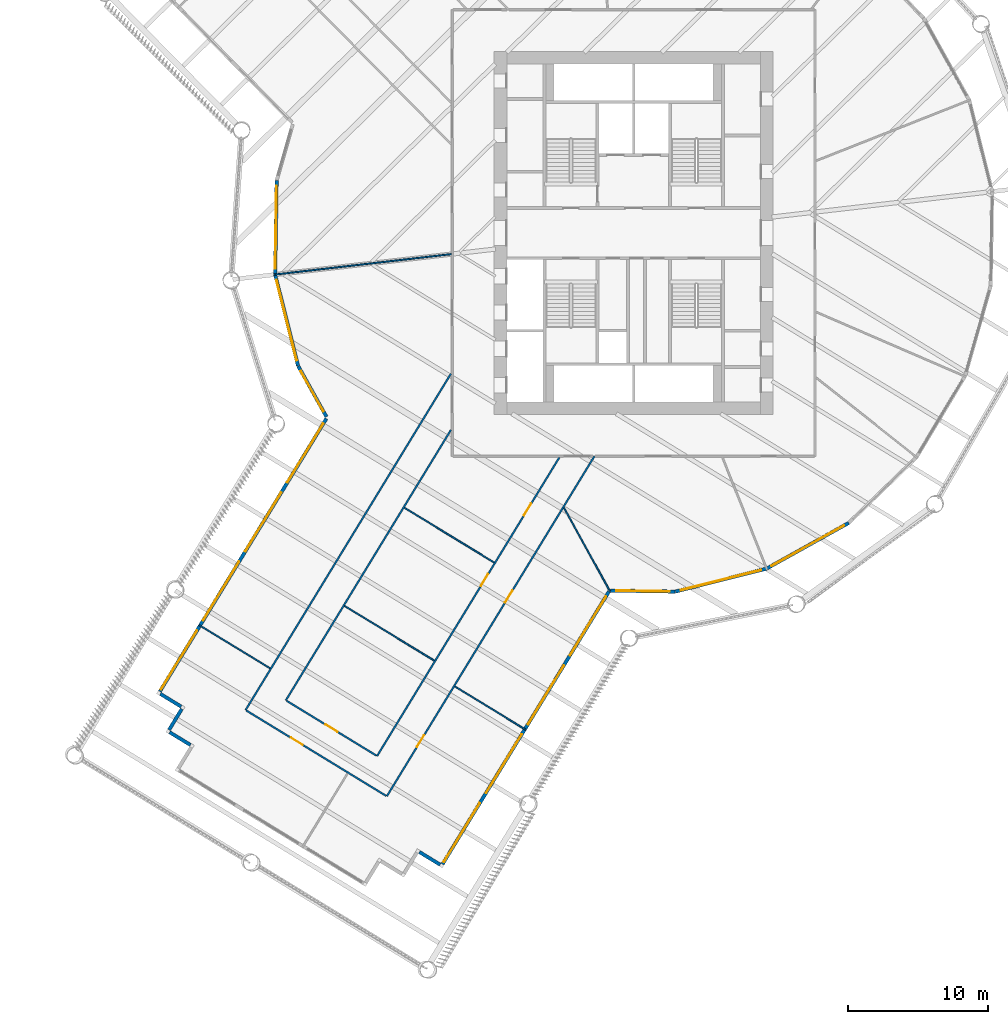
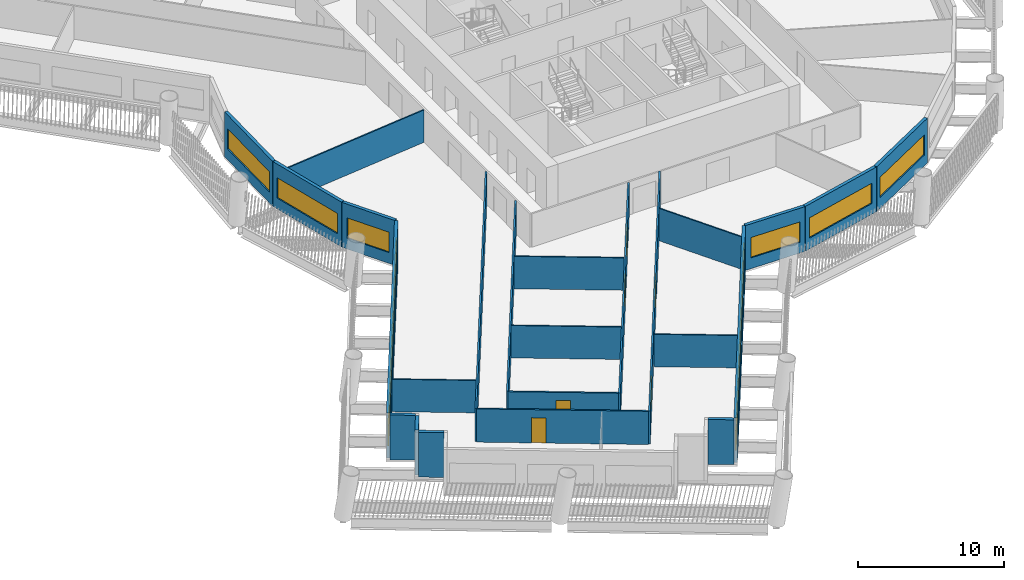
# One storey, part 3 of 15: 24 walls, 14 windows, 6 doors, 20 openings.
"""IFC4 building model written with IfcOpenShell, lengths in metres."""

from ifc_helpers import new_model, si_unit, direction, frame, frame_2d, origin, place, context, subcontext, project, spatial, rectangle, extrude, material, layer, layer_set, type_object, element, fill, save


model = new_model("IFC4")

# Units and contexts
model_context = context("Model", 3, precision=1e-05, world=origin(), true_north=direction((0.0, 1.0)))
body_context = subcontext(model_context, "Body", "Model", "MODEL_VIEW")
ifc_project = project(units=[si_unit("LENGTHUNIT", "METRE"), si_unit("AREAUNIT", "SQUARE_METRE"), si_unit("VOLUMEUNIT", "CUBIC_METRE"), si_unit("PLANEANGLEUNIT", "RADIAN"), si_unit("MASSUNIT", "GRAM", prefix="KILO")], contexts=[model_context])

# Site, building, storey
site_placement = place(None, origin())
site = spatial("IfcSite", under=ifc_project, at=site_placement, CompositionType="ELEMENT")
building_placement = place(site_placement, origin())
building = spatial("IfcBuilding", under=site, at=building_placement, Name="Tarsis Ring Headquarters", CompositionType="ELEMENT")
storey_placement = place(building_placement, frame((0.0, 0.0, 75.10009765625)))
storey = spatial("IfcBuildingStorey", under=building, at=storey_placement, Name="L16", CompositionType="ELEMENT", Elevation=75.10009765625)

# Walls
ifc_material_1 = material(Name="Gypsum board on steel studs", Category="steel")
ifc_layer_1 = layer(ifc_material_1, 0.10009765625)
ifc_layer_set_1 = layer_set([ifc_layer_1], Name="FL partition 100 unrated")
wall_type_1 = type_object("IfcWallType", Name="FL partition 100 unrated", PredefinedType="PARTITIONING", material=ifc_layer_set_1)
wall_1_placement = place(storey_placement, frame((-25.77587890625, -2.982421875, 0.0), z_axis=(0.0, 0.0, 1.0), x_axis=(0.993372355802, 0.114940692221, 0.0)))
element("IfcWall", 1, at=wall_1_placement, inside=storey, type_object=wall_type_1, Name="Partition PW3", PredefinedType="PARTITIONING", context=body_context, shape_type="SweptSolid", body=[
    extrude(rectangle(XDim=12.791015625, YDim=0.10009765625, at=frame_2d((6.3955078125, 0.0))), origin(), (0.0, 0.0, 1.0), 2.699951171875),
])
for number, where, z_axis, x_axis, name in (
    (2, (-16.427490234375, -19.695556640625, 0.0), (0.0, 0.0, 1.0), (0.853552167987, -0.521007386248, 0.0), "Partition PW3"),
    (3, (-20.720458984375, -26.728759765625, 0.0), (0.0, 0.0, 1.0), (0.853552167987, -0.521007386248, 0.0), "Partition PW3"),
):
    element("IfcWall", number, at=place(storey_placement, frame(where, z_axis=z_axis, x_axis=x_axis)), inside=storey, type_object=wall_type_1, Name=name, PredefinedType="PARTITIONING", context=body_context, shape_type="SweptSolid", body=[
        extrude(rectangle(XDim=7.52001953125, YDim=0.10009765625, at=frame_2d((3.760009765625, 0.0))), origin(), (0.0, 0.0, 1.0), 2.699951171875),
    ])
wall_2_placement = place(storey_placement, frame((-4.989501953125, -19.70849609375, 0.0), z_axis=(0.0, 0.0, 1.0), x_axis=(0.482518364437, -0.875885853283, 0.0)))
element("IfcWall", 4, at=wall_2_placement, inside=storey, type_object=wall_type_1, Name="Partition PW3", PredefinedType="PARTITIONING", context=body_context, shape_type="SweptSolid", body=[
    extrude(rectangle(XDim=6.8134765625, YDim=0.10009765625, at=frame_2d((3.40673828125, 0.0))), origin(), (0.0, 0.0, 1.0), 2.699951171875),
])
for number, where, z_axis, x_axis, name in (
    (5, (-31.149658203125, -28.09521484375, 0.0), (0.0, 0.0, 1.0), (0.853543407635, -0.521021737821, 0.0), "Partition PW3"),
    (6, (-12.811767578125, -32.50537109375, 0.0), (0.0, 0.0, 1.0), (0.853561654943, -0.520991843708, 0.0), "Partition PW3"),
):
    element("IfcWall", number, at=place(storey_placement, frame(where, z_axis=z_axis, x_axis=x_axis)), inside=storey, type_object=wall_type_1, Name=name, PredefinedType="PARTITIONING", context=body_context, shape_type="SweptSolid", body=[
        extrude(rectangle(XDim=5.949951171875, YDim=0.10009765625, at=frame_2d((2.97509765625, 0.0))), origin(), (0.0, 0.0, 1.0), 2.699951171875),
    ])

# Wall, openings, doors
ifc_layer_2 = layer(ifc_material_1, 0.125)
ifc_layer_set_2 = layer_set([ifc_layer_2], Name="FL partition 125 EI 60 H2770")
wall_type_2 = type_object("IfcWallType", Name="FL partition 125 EI 60 H2770", PredefinedType="PARTITIONING", material=ifc_layer_set_2)
wall_3_placement = place(storey_placement, frame((-17.696044921875, -40.372802734375, 0.0), z_axis=(0.0, 0.0, 1.0), x_axis=(0.521002763272, 0.853554989829, 0.0)))
wall_3 = element("IfcWall", 7, at=wall_3_placement, inside=storey, type_object=wall_type_2, Name="Partition PW1", PredefinedType="PARTITIONING", context=body_context, shape_type="SweptSolid", body=[
    extrude(rectangle(XDim=28.554443359375, YDim=0.125, at=frame_2d((14.27734375, 0.0))), origin(), (0.0, 0.0, 1.0), 2.77001953125),
])
opening_1_placement = place(wall_3_placement, frame((16.278076171875, 0.0, 0.0)))
opening_1 = element("IfcOpeningElement", 8, at=opening_1_placement, cuts=wall_3, Name="Opening D16.11", PredefinedType="OPENING", context=body_context, shape_type="SweptSolid", body=[
    extrude(rectangle(XDim=1.0, YDim=2.10009765625, at=frame_2d((0.5, 1.050048828125))), frame((0.0, 0.072509765625, 0.0), z_axis=(0.0, -1.0, 0.0), x_axis=(1.0, 0.0, 0.0)), (0.0, 0.0, 1.0), 0.14501953125),
])
opening_2_placement = place(wall_3_placement, frame((4.127685546875, 0.0, 0.0)))
opening_2 = element("IfcOpeningElement", 9, at=opening_2_placement, cuts=wall_3, Name="Opening D16.12", PredefinedType="OPENING", context=body_context, shape_type="SweptSolid", body=[
    extrude(rectangle(XDim=1.0, YDim=2.10009765625, at=frame_2d((0.5, 1.050048828125))), frame((0.0, 0.072509765625, 0.0), z_axis=(0.0, -1.0, 0.0), x_axis=(1.0, 0.0, 0.0)), (0.0, 0.0, 1.0), 0.14501953125),
])
ifc_material_2 = material(Name="Fire-rated timber door leaf in steel frame", Category="steel")
door_type = type_object("IfcDoorType", Name="FL door FD60-1000", OperationType="NOTDEFINED", PredefinedType="DOOR", material=ifc_material_2)
door_1_placement = place(opening_1_placement, origin())
door_1 = element("IfcDoor", 10, at=door_1_placement, inside=storey, type_object=door_type, Name="Door D16.11", OperationType="SINGLE_SWING_LEFT", OverallHeight=2.10009765625, OverallWidth=1.0, PredefinedType="DOOR", context=body_context, shape_type="SweptSolid", body=[
    extrude(rectangle(XDim=1.0, YDim=2.10009765625, at=frame_2d((0.5, 1.050048828125))), frame((0.0, 0.02490234375, 0.0), z_axis=(0.0, -1.0, 0.0), x_axis=(1.0, 0.0, 0.0)), (0.0, 0.0, 1.0), 0.050048828125),
])
fill(opening_1, door_1)
door_2_placement = place(opening_2_placement, origin())
door_2 = element("IfcDoor", 11, at=door_2_placement, inside=storey, type_object=door_type, Name="Door D16.12", OperationType="SINGLE_SWING_RIGHT", OverallHeight=2.10009765625, OverallWidth=1.0, PredefinedType="DOOR", context=body_context, shape_type="SweptSolid", body=[
    extrude(rectangle(XDim=1.0, YDim=2.10009765625, at=frame_2d((0.5, 1.050048828125))), frame((0.0, 0.02490234375, 0.0), z_axis=(0.0, -1.0, 0.0), x_axis=(1.0, 0.0, 0.0)), (0.0, 0.0, 1.0), 0.050048828125),
])
fill(opening_2, door_2)

# Wall
wall_4_placement = place(storey_placement, frame((-27.8193359375, -34.193603515625, 0.0), z_axis=(0.0, 0.0, 1.0), x_axis=(0.521009728697, 0.853550738154, 0.0)))
element("IfcWall", 12, at=wall_4_placement, inside=storey, type_object=wall_type_2, Name="Partition PW1", PredefinedType="PARTITIONING", context=body_context, shape_type="SweptSolid", body=[
    extrude(rectangle(XDim=28.243408203125, YDim=0.125, at=frame_2d((14.12158203125, 0.0))), origin(), (0.0, 0.0, 1.0), 2.77001953125),
])

# Wall, openings, doors
wall_5_placement = place(storey_placement, frame((-18.39453125, -37.486083984375, 0.0), z_axis=(0.0, 0.0, 1.0), x_axis=(0.521016290951, 0.853546732501, 0.0)))
wall_5 = element("IfcWall", 13, at=wall_5_placement, inside=storey, type_object=wall_type_2, Name="Partition PW1", PredefinedType="PARTITIONING", context=body_context, shape_type="SweptSolid", body=[
    extrude(rectangle(XDim=25.072509765625, YDim=0.125, at=frame_2d((12.5361328125, 0.0))), origin(), (0.0, 0.0, 1.0), 2.77001953125),
])
opening_3_placement = place(wall_5_placement, frame((20.193115234375, 0.0, 0.0)))
opening_3 = element("IfcOpeningElement", 14, at=opening_3_placement, cuts=wall_5, Name="Opening D16.18", PredefinedType="OPENING", context=body_context, shape_type="SweptSolid", body=[
    extrude(rectangle(XDim=1.0, YDim=2.10009765625, at=frame_2d((0.5, 1.050048828125))), frame((0.0, 0.072509765625, 0.0), z_axis=(0.0, -1.0, 0.0), x_axis=(1.0, 0.0, 0.0)), (0.0, 0.0, 1.0), 0.14501953125),
])
opening_4_placement = place(wall_5_placement, frame((14.270263671875, 0.0, 0.0)))
opening_4 = element("IfcOpeningElement", 15, at=opening_4_placement, cuts=wall_5, Name="Opening D16.19", PredefinedType="OPENING", context=body_context, shape_type="SweptSolid", body=[
    extrude(rectangle(XDim=1.0, YDim=2.10009765625, at=frame_2d((0.5, 1.050048828125))), frame((0.0, 0.072509765625, 0.0), z_axis=(0.0, -1.0, 0.0), x_axis=(1.0, 0.0, 0.0)), (0.0, 0.0, 1.0), 0.14501953125),
])
door_3_placement = place(opening_3_placement, origin())
door_3 = element("IfcDoor", 16, at=door_3_placement, inside=storey, type_object=door_type, Name="Door D16.18", OperationType="SINGLE_SWING_RIGHT", OverallHeight=2.10009765625, OverallWidth=1.0, PredefinedType="DOOR", context=body_context, shape_type="SweptSolid", body=[
    extrude(rectangle(XDim=1.0, YDim=2.10009765625, at=frame_2d((0.5, 1.050048828125))), frame((0.0, 0.02490234375, 0.0), z_axis=(0.0, -1.0, 0.0), x_axis=(1.0, 0.0, 0.0)), (0.0, 0.0, 1.0), 0.050048828125),
])
fill(opening_3, door_3)
door_4_placement = place(opening_4_placement, origin())
door_4 = element("IfcDoor", 17, at=door_4_placement, inside=storey, type_object=door_type, Name="Door D16.19", OperationType="SINGLE_SWING_LEFT", OverallHeight=2.10009765625, OverallWidth=1.0, PredefinedType="DOOR", context=body_context, shape_type="SweptSolid", body=[
    extrude(rectangle(XDim=1.0, YDim=2.10009765625, at=frame_2d((0.5, 1.050048828125))), frame((0.0, 0.02490234375, 0.0), z_axis=(0.0, -1.0, 0.0), x_axis=(1.0, 0.0, 0.0)), (0.0, 0.0, 1.0), 0.050048828125),
])
fill(opening_4, door_4)

# Wall
wall_6_placement = place(storey_placement, frame((-24.9326171875, -33.4951171875, 0.0), z_axis=(0.0, 0.0, 1.0), x_axis=(0.521005823257, 0.853553122033, 0.0)))
element("IfcWall", 18, at=wall_6_placement, inside=storey, type_object=wall_type_2, Name="Partition PW1", PredefinedType="PARTITIONING", context=body_context, shape_type="SweptSolid", body=[
    extrude(rectangle(XDim=22.702880859375, YDim=0.125, at=frame_2d((11.3515625, 0.0))), origin(), (0.0, 0.0, 1.0), 2.77001953125),
])

# Wall, opening, door
wall_7_placement = place(storey_placement, frame((-27.76806640625, -34.224853515625, 0.0), z_axis=(0.0, 0.0, 1.0), x_axis=(0.853559813998, -0.52099485979, 0.0)))
wall_7 = element("IfcWall", 19, at=wall_7_placement, inside=storey, type_object=wall_type_2, Name="Partition PW1", PredefinedType="PARTITIONING", context=body_context, shape_type="SweptSolid", body=[
    extrude(rectangle(XDim=11.739990234375, YDim=0.125, at=frame_2d((5.8701171875, 0.0))), origin(), (0.0, 0.0, 1.0), 2.77001953125),
])
opening_5_placement = place(wall_7_placement, frame((3.73828125, 0.0, 0.0)))
opening_5 = element("IfcOpeningElement", 20, at=opening_5_placement, cuts=wall_7, Name="Opening D16.13", PredefinedType="OPENING", context=body_context, shape_type="SweptSolid", body=[
    extrude(rectangle(XDim=1.0, YDim=2.10009765625, at=frame_2d((0.5, 1.050048828125))), frame((0.0, 0.072509765625, 0.0), z_axis=(0.0, -1.0, 0.0), x_axis=(1.0, 0.0, 0.0)), (0.0, 0.0, 1.0), 0.14501953125),
])
door_5_placement = place(opening_5_placement, origin())
door_5 = element("IfcDoor", 21, at=door_5_placement, inside=storey, type_object=door_type, Name="Door D16.13", OperationType="SINGLE_SWING_LEFT", OverallHeight=2.10009765625, OverallWidth=1.0, PredefinedType="DOOR", context=body_context, shape_type="SweptSolid", body=[
    extrude(rectangle(XDim=1.0, YDim=2.10009765625, at=frame_2d((0.5, 1.050048828125))), frame((0.0, 0.02490234375, 0.0), z_axis=(0.0, -1.0, 0.0), x_axis=(1.0, 0.0, 0.0)), (0.0, 0.0, 1.0), 0.050048828125),
])
fill(opening_5, door_5)

wall_8_placement = place(storey_placement, frame((-24.881591796875, -33.5263671875, 0.0), z_axis=(0.0, 0.0, 1.0), x_axis=(0.853548250352, -0.521013804348, 0.0)))
wall_8 = element("IfcWall", 22, at=wall_8_placement, inside=storey, type_object=wall_type_2, Name="Partition PW1", PredefinedType="PARTITIONING", context=body_context, shape_type="SweptSolid", body=[
    extrude(rectangle(XDim=7.5400390625, YDim=0.125, at=frame_2d((3.77001953125, 0.0))), origin(), (0.0, 0.0, 1.0), 2.77001953125),
])
opening_6_placement = place(wall_8_placement, frame((3.27001953125, 0.0, 0.0)))
opening_6 = element("IfcOpeningElement", 23, at=opening_6_placement, cuts=wall_8, Name="Opening D16.20", PredefinedType="OPENING", context=body_context, shape_type="SweptSolid", body=[
    extrude(rectangle(XDim=1.0, YDim=2.10009765625, at=frame_2d((0.5, 1.050048828125))), frame((0.0, 0.072509765625, 0.0), z_axis=(0.0, -1.0, 0.0), x_axis=(1.0, 0.0, 0.0)), (0.0, 0.0, 1.0), 0.14501953125),
])
door_6_placement = place(opening_6_placement, origin())
door_6 = element("IfcDoor", 24, at=door_6_placement, inside=storey, type_object=door_type, Name="Door D16.20", OperationType="SINGLE_SWING_RIGHT", OverallHeight=2.10009765625, OverallWidth=1.0, PredefinedType="DOOR", context=body_context, shape_type="SweptSolid", body=[
    extrude(rectangle(XDim=1.0, YDim=2.10009765625, at=frame_2d((0.5, 1.050048828125))), frame((0.0, 0.02490234375, 0.0), z_axis=(0.0, -1.0, 0.0), x_axis=(1.0, 0.0, 0.0)), (0.0, 0.0, 1.0), 0.050048828125),
])
fill(opening_6, door_6)

# Wall, opening, window
ifc_material_3 = material(Name="Terracotta clad insulated panel wall", Category="masonry")
ifc_layer_3 = layer(ifc_material_3, 0.25)
ifc_layer_set_3 = layer_set([ifc_layer_3], Name="Facade wall terracotta panel 250")
wall_type_3 = type_object("IfcWallType", Name="Facade wall terracotta panel 250", PredefinedType="STANDARD", material=ifc_layer_set_3)
wall_9_placement = place(storey_placement, frame((-25.5966796875, 3.76318359375, 0.0), z_axis=(0.0, 0.0, 1.0), x_axis=(-0.015691180423, -0.99987688585, 0.0)))
wall_9 = element("IfcWall", 25, at=wall_9_placement, inside=storey, type_object=wall_type_3, Name="External wall L16-03", PredefinedType="STANDARD", context=body_context, shape_type="SweptSolid", body=[
    extrude(rectangle(XDim=6.721435546875, YDim=0.25, at=frame_2d((3.36083984375, 0.0))), origin(), (0.0, 0.0, 1.0), 3.739990234375),
])
opening_7_placement = place(wall_9_placement, frame((0.3857421875, 0.0, 0.89990234375)))
opening_7 = element("IfcOpeningElement", 26, at=opening_7_placement, cuts=wall_9, Name="Opening WN07", PredefinedType="OPENING", context=body_context, shape_type="SweptSolid", body=[
    extrude(rectangle(XDim=5.949951171875, YDim=1.699951171875, at=frame_2d((2.97509765625, 0.85009765625))), frame((0.0, 0.135009765625, 0.0), z_axis=(0.0, -1.0, 0.0), x_axis=(1.0, 0.0, 0.0)), (0.0, 0.0, 1.0), 0.27001953125),
])
ifc_material_4 = material(Name="Aluminium framed double glazing", Category="aluminium")
window_type_1 = type_object("IfcWindowType", Name="Facade window 5950 x 1700", PartitioningType="SINGLE_PANEL", PredefinedType="WINDOW", material=ifc_material_4)
window_1_placement = place(opening_7_placement, origin())
window_1 = element("IfcWindow", 27, at=window_1_placement, inside=storey, type_object=window_type_1, Name="Window L16-03.1", OverallHeight=1.699951171875, OverallWidth=5.949951171875, PartitioningType="SINGLE_PANEL", PredefinedType="WINDOW", context=body_context, shape_type="SweptSolid", body=[
    extrude(rectangle(XDim=5.949951171875, YDim=1.699951171875, at=frame_2d((2.97509765625, 0.85009765625))), frame((0.0, 0.030029296875, 0.0), z_axis=(0.0, -1.0, 0.0), x_axis=(1.0, 0.0, 0.0)), (0.0, 0.0, 1.0), 0.06005859375),
])
fill(opening_7, window_1)

wall_10_placement = place(storey_placement, frame((-25.698486328125, -2.98974609375, 0.0), z_axis=(0.0, 0.0, 1.0), x_axis=(0.243612319037, -0.969872691653, 0.0)))
wall_10 = element("IfcWall", 28, at=wall_10_placement, inside=storey, type_object=wall_type_3, Name="External wall L16-04", PredefinedType="STANDARD", context=body_context, shape_type="SweptSolid", body=[
    extrude(rectangle(XDim=6.721435546875, YDim=0.25, at=frame_2d((3.36083984375, 0.0))), origin(), (0.0, 0.0, 1.0), 3.739990234375),
])
opening_8_placement = place(wall_10_placement, frame((0.3857421875, 0.0, 0.89990234375)))
opening_8 = element("IfcOpeningElement", 29, at=opening_8_placement, cuts=wall_10, Name="Opening WN07", PredefinedType="OPENING", context=body_context, shape_type="SweptSolid", body=[
    extrude(rectangle(XDim=5.949951171875, YDim=1.699951171875, at=frame_2d((2.97509765625, 0.85009765625))), frame((0.0, 0.135009765625, 0.0), z_axis=(0.0, -1.0, 0.0), x_axis=(1.0, 0.0, 0.0)), (0.0, 0.0, 1.0), 0.27001953125),
])
window_2_placement = place(opening_8_placement, origin())
window_2 = element("IfcWindow", 30, at=window_2_placement, inside=storey, type_object=window_type_1, Name="Window L16-04.1", OverallHeight=1.699951171875, OverallWidth=5.949951171875, PartitioningType="SINGLE_PANEL", PredefinedType="WINDOW", context=body_context, shape_type="SweptSolid", body=[
    extrude(rectangle(XDim=5.949951171875, YDim=1.699951171875, at=frame_2d((2.97509765625, 0.85009765625))), frame((0.0, 0.030029296875, 0.0), z_axis=(0.0, -1.0, 0.0), x_axis=(1.0, 0.0, 0.0)), (0.0, 0.0, 1.0), 0.06005859375),
])
fill(opening_8, window_2)

wall_11_placement = place(storey_placement, frame((-24.049072265625, -9.539306640625, 0.0), z_axis=(0.0, 0.0, 1.0), x_axis=(0.486355772919, -0.873760872406, 0.0)))
wall_11 = element("IfcWall", 31, at=wall_11_placement, inside=storey, type_object=wall_type_3, Name="External wall L16-05", PredefinedType="STANDARD", context=body_context, shape_type="SweptSolid", body=[
    extrude(rectangle(XDim=4.157470703125, YDim=0.25, at=frame_2d((2.07861328125, 0.0))), origin(), (0.0, 0.0, 1.0), 3.739990234375),
])
opening_9_placement = place(wall_11_placement, frame((0.38720703125, 0.0, 0.89990234375)))
opening_9 = element("IfcOpeningElement", 32, at=opening_9_placement, cuts=wall_11, Name="Opening WN01", PredefinedType="OPENING", context=body_context, shape_type="SweptSolid", body=[
    extrude(rectangle(XDim=3.35009765625, YDim=1.699951171875, at=frame_2d((1.675048828125, 0.85009765625))), frame((0.0, 0.135009765625, 0.0), z_axis=(0.0, -1.0, 0.0), x_axis=(1.0, 0.0, 0.0)), (0.0, 0.0, 1.0), 0.27001953125),
])
window_type_2 = type_object("IfcWindowType", Name="Facade window 3350 x 1700", PartitioningType="SINGLE_PANEL", PredefinedType="WINDOW", material=ifc_material_4)
window_3_placement = place(opening_9_placement, origin())
window_3 = element("IfcWindow", 33, at=window_3_placement, inside=storey, type_object=window_type_2, Name="Window L16-05.1", OverallHeight=1.699951171875, OverallWidth=3.35009765625, PartitioningType="SINGLE_PANEL", PredefinedType="WINDOW", context=body_context, shape_type="SweptSolid", body=[
    extrude(rectangle(XDim=3.35009765625, YDim=1.699951171875, at=frame_2d((1.675048828125, 0.85009765625))), frame((0.0, 0.030029296875, 0.0), z_axis=(0.0, -1.0, 0.0), x_axis=(1.0, 0.0, 0.0)), (0.0, 0.0, 1.0), 0.06005859375),
])
fill(opening_9, window_3)

# Wall, openings, windows
wall_12_placement = place(storey_placement, frame((-22.029541015625, -13.2978515625, 0.0), z_axis=(0.0, 0.0, 1.0), x_axis=(-0.521009208781, -0.853551055512, 0.0)))
wall_12 = element("IfcWall", 34, at=wall_12_placement, inside=storey, type_object=wall_type_3, Name="External wall L16-06", PredefinedType="STANDARD", context=body_context, shape_type="SweptSolid", body=[
    extrude(rectangle(XDim=22.922119140625, YDim=0.25, at=frame_2d((11.4609375, 0.0))), origin(), (0.0, 0.0, 1.0), 3.739990234375),
])
opening_10_placement = place(wall_12_placement, frame((0.42138671875, 0.0, 0.89990234375)))
opening_10 = element("IfcOpeningElement", 35, at=opening_10_placement, cuts=wall_12, Name="Opening WN05", PredefinedType="OPENING", context=body_context, shape_type="SweptSolid", body=[
    extrude(rectangle(XDim=4.949951171875, YDim=1.699951171875, at=frame_2d((2.47509765625, 0.85009765625))), frame((0.0, 0.135009765625, 0.0), z_axis=(0.0, -1.0, 0.0), x_axis=(1.0, 0.0, 0.0)), (0.0, 0.0, 1.0), 0.27001953125),
])
opening_11_placement = place(wall_12_placement, frame((6.214599609375, 0.0, 0.89990234375)))
opening_11 = element("IfcOpeningElement", 36, at=opening_11_placement, cuts=wall_12, Name="Opening WN05", PredefinedType="OPENING", context=body_context, shape_type="SweptSolid", body=[
    extrude(rectangle(XDim=4.949951171875, YDim=1.699951171875, at=frame_2d((2.47509765625, 0.85009765625))), frame((0.0, 0.135009765625, 0.0), z_axis=(0.0, -1.0, 0.0), x_axis=(1.0, 0.0, 0.0)), (0.0, 0.0, 1.0), 0.27001953125),
])
opening_12_placement = place(wall_12_placement, frame((12.007568359375, 0.0, 0.89990234375)))
opening_12 = element("IfcOpeningElement", 37, at=opening_12_placement, cuts=wall_12, Name="Opening WN05", PredefinedType="OPENING", context=body_context, shape_type="SweptSolid", body=[
    extrude(rectangle(XDim=4.949951171875, YDim=1.699951171875, at=frame_2d((2.47509765625, 0.85009765625))), frame((0.0, 0.135009765625, 0.0), z_axis=(0.0, -1.0, 0.0), x_axis=(1.0, 0.0, 0.0)), (0.0, 0.0, 1.0), 0.27001953125),
])
opening_13_placement = place(wall_12_placement, frame((17.800537109375, 0.0, 0.89990234375)))
opening_13 = element("IfcOpeningElement", 38, at=opening_13_placement, cuts=wall_12, Name="Opening WN05", PredefinedType="OPENING", context=body_context, shape_type="SweptSolid", body=[
    extrude(rectangle(XDim=4.949951171875, YDim=1.699951171875, at=frame_2d((2.47509765625, 0.85009765625))), frame((0.0, 0.135009765625, 0.0), z_axis=(0.0, -1.0, 0.0), x_axis=(1.0, 0.0, 0.0)), (0.0, 0.0, 1.0), 0.27001953125),
])
window_type_3 = type_object("IfcWindowType", Name="Facade window 4950 x 1700", PartitioningType="SINGLE_PANEL", PredefinedType="WINDOW", material=ifc_material_4)
window_4_placement = place(opening_10_placement, origin())
window_4 = element("IfcWindow", 39, at=window_4_placement, inside=storey, type_object=window_type_3, Name="Window L16-06.1", OverallHeight=1.699951171875, OverallWidth=4.949951171875, PartitioningType="SINGLE_PANEL", PredefinedType="WINDOW", context=body_context, shape_type="SweptSolid", body=[
    extrude(rectangle(XDim=4.949951171875, YDim=1.699951171875, at=frame_2d((2.47509765625, 0.85009765625))), frame((0.0, 0.030029296875, 0.0), z_axis=(0.0, -1.0, 0.0), x_axis=(1.0, 0.0, 0.0)), (0.0, 0.0, 1.0), 0.06005859375),
])
fill(opening_10, window_4)
window_5_placement = place(opening_11_placement, origin())
window_5 = element("IfcWindow", 40, at=window_5_placement, inside=storey, type_object=window_type_3, Name="Window L16-06.2", OverallHeight=1.699951171875, OverallWidth=4.949951171875, PartitioningType="SINGLE_PANEL", PredefinedType="WINDOW", context=body_context, shape_type="SweptSolid", body=[
    extrude(rectangle(XDim=4.949951171875, YDim=1.699951171875, at=frame_2d((2.47509765625, 0.85009765625))), frame((0.0, 0.030029296875, 0.0), z_axis=(0.0, -1.0, 0.0), x_axis=(1.0, 0.0, 0.0)), (0.0, 0.0, 1.0), 0.06005859375),
])
fill(opening_11, window_5)
window_6_placement = place(opening_12_placement, origin())
window_6 = element("IfcWindow", 41, at=window_6_placement, inside=storey, type_object=window_type_3, Name="Window L16-06.3", OverallHeight=1.699951171875, OverallWidth=4.949951171875, PartitioningType="SINGLE_PANEL", PredefinedType="WINDOW", context=body_context, shape_type="SweptSolid", body=[
    extrude(rectangle(XDim=4.949951171875, YDim=1.699951171875, at=frame_2d((2.47509765625, 0.85009765625))), frame((0.0, 0.030029296875, 0.0), z_axis=(0.0, -1.0, 0.0), x_axis=(1.0, 0.0, 0.0)), (0.0, 0.0, 1.0), 0.06005859375),
])
fill(opening_12, window_6)
window_7_placement = place(opening_13_placement, origin())
window_7 = element("IfcWindow", 42, at=window_7_placement, inside=storey, type_object=window_type_3, Name="Window L16-06.4", OverallHeight=1.699951171875, OverallWidth=4.949951171875, PartitioningType="SINGLE_PANEL", PredefinedType="WINDOW", context=body_context, shape_type="SweptSolid", body=[
    extrude(rectangle(XDim=4.949951171875, YDim=1.699951171875, at=frame_2d((2.47509765625, 0.85009765625))), frame((0.0, 0.030029296875, 0.0), z_axis=(0.0, -1.0, 0.0), x_axis=(1.0, 0.0, 0.0)), (0.0, 0.0, 1.0), 0.06005859375),
])
fill(opening_13, window_7)

# Walls
for number, where, z_axis, x_axis, name in (
    (43, (-33.930419921875, -33.03466796875, 0.0), (0.0, 0.0, 1.0), (0.853516247941, -0.521066228516, 0.0), "External wall L16-07"),
    (44, (-32.395263671875, -34.118408203125, 0.0), (0.0, 0.0, 1.0), (-0.521066228516, -0.853516247941, 0.0), "External wall L16-08"),
):
    element("IfcWall", number, at=place(storey_placement, frame(where, z_axis=z_axis, x_axis=x_axis)), inside=storey, type_object=wall_type_3, Name=name, PredefinedType="STANDARD", context=body_context, shape_type="SweptSolid", body=[
        extrude(rectangle(XDim=1.75, YDim=0.25, at=frame_2d((0.875, 0.0))), origin(), (0.0, 0.0, 1.0), 3.739990234375),
    ])
wall_13_placement = place(storey_placement, frame((-33.265380859375, -35.783935546875, 0.0), z_axis=(0.0, 0.0, 1.0), x_axis=(0.853578291436, -0.520964586502, 0.0)))
element("IfcWall", 45, at=wall_13_placement, inside=storey, type_object=wall_type_3, Name="External wall L16-09", PredefinedType="STANDARD", context=body_context, shape_type="SweptSolid", body=[
    extrude(rectangle(XDim=1.749755859375, YDim=0.25, at=frame_2d((0.875, 0.0))), origin(), (0.0, 0.0, 1.0), 3.739990234375),
])
wall_14_placement = place(storey_placement, frame((-15.36572265625, -44.36669921875, 0.0), z_axis=(0.0, 0.0, 1.0), x_axis=(0.853516247941, -0.521066228516, 0.0)))
element("IfcWall", 46, at=wall_14_placement, inside=storey, type_object=wall_type_3, Name="External wall L16-15", PredefinedType="STANDARD", context=body_context, shape_type="SweptSolid", body=[
    extrude(rectangle(XDim=1.75, YDim=0.25, at=frame_2d((0.875, 0.0))), origin(), (0.0, 0.0, 1.0), 3.739990234375),
])

# Wall, openings, windows
wall_15_placement = place(storey_placement, frame((-13.7001953125, -45.23681640625, 0.0), z_axis=(0.0, 0.0, 1.0), x_axis=(0.521005786269, 0.85355314461, 0.0)))
wall_15 = element("IfcWall", 47, at=wall_15_placement, inside=storey, type_object=wall_type_3, Name="External wall L16-16", PredefinedType="STANDARD", context=body_context, shape_type="SweptSolid", body=[
    extrude(rectangle(XDim=22.901123046875, YDim=0.25, at=frame_2d((11.45068359375, 0.0))), origin(), (0.0, 0.0, 1.0), 3.739990234375),
])
opening_14_placement = place(wall_15_placement, frame((0.1689453125, 0.0, 0.89990234375)))
opening_14 = element("IfcOpeningElement", 48, at=opening_14_placement, cuts=wall_15, Name="Opening WN05", PredefinedType="OPENING", context=body_context, shape_type="SweptSolid", body=[
    extrude(rectangle(XDim=4.949951171875, YDim=1.699951171875, at=frame_2d((2.47509765625, 0.85009765625))), frame((0.0, 0.135009765625, 0.0), z_axis=(0.0, -1.0, 0.0), x_axis=(1.0, 0.0, 0.0)), (0.0, 0.0, 1.0), 0.27001953125),
])
opening_15_placement = place(wall_15_placement, frame((5.956787109375, 0.0, 0.89990234375)))
opening_15 = element("IfcOpeningElement", 49, at=opening_15_placement, cuts=wall_15, Name="Opening WN05", PredefinedType="OPENING", context=body_context, shape_type="SweptSolid", body=[
    extrude(rectangle(XDim=4.949951171875, YDim=1.699951171875, at=frame_2d((2.47509765625, 0.85009765625))), frame((0.0, 0.135009765625, 0.0), z_axis=(0.0, -1.0, 0.0), x_axis=(1.0, 0.0, 0.0)), (0.0, 0.0, 1.0), 0.27001953125),
])
opening_16_placement = place(wall_15_placement, frame((11.74462890625, 0.0, 0.89990234375)))
opening_16 = element("IfcOpeningElement", 50, at=opening_16_placement, cuts=wall_15, Name="Opening WN05", PredefinedType="OPENING", context=body_context, shape_type="SweptSolid", body=[
    extrude(rectangle(XDim=4.949951171875, YDim=1.699951171875, at=frame_2d((2.47509765625, 0.85009765625))), frame((0.0, 0.135009765625, 0.0), z_axis=(0.0, -1.0, 0.0), x_axis=(1.0, 0.0, 0.0)), (0.0, 0.0, 1.0), 0.27001953125),
])
opening_17_placement = place(wall_15_placement, frame((17.532470703125, 0.0, 0.89990234375)))
opening_17 = element("IfcOpeningElement", 51, at=opening_17_placement, cuts=wall_15, Name="Opening WN05", PredefinedType="OPENING", context=body_context, shape_type="SweptSolid", body=[
    extrude(rectangle(XDim=4.949951171875, YDim=1.699951171875, at=frame_2d((2.47509765625, 0.85009765625))), frame((0.0, 0.135009765625, 0.0), z_axis=(0.0, -1.0, 0.0), x_axis=(1.0, 0.0, 0.0)), (0.0, 0.0, 1.0), 0.27001953125),
])
window_8_placement = place(opening_14_placement, origin())
window_8 = element("IfcWindow", 52, at=window_8_placement, inside=storey, type_object=window_type_3, Name="Window L16-16.1", OverallHeight=1.699951171875, OverallWidth=4.949951171875, PartitioningType="SINGLE_PANEL", PredefinedType="WINDOW", context=body_context, shape_type="SweptSolid", body=[
    extrude(rectangle(XDim=4.949951171875, YDim=1.699951171875, at=frame_2d((2.47509765625, 0.85009765625))), frame((0.0, 0.030029296875, 0.0), z_axis=(0.0, -1.0, 0.0), x_axis=(1.0, 0.0, 0.0)), (0.0, 0.0, 1.0), 0.06005859375),
])
fill(opening_14, window_8)
window_9_placement = place(opening_15_placement, origin())
window_9 = element("IfcWindow", 53, at=window_9_placement, inside=storey, type_object=window_type_3, Name="Window L16-16.2", OverallHeight=1.699951171875, OverallWidth=4.949951171875, PartitioningType="SINGLE_PANEL", PredefinedType="WINDOW", context=body_context, shape_type="SweptSolid", body=[
    extrude(rectangle(XDim=4.949951171875, YDim=1.699951171875, at=frame_2d((2.47509765625, 0.85009765625))), frame((0.0, 0.030029296875, 0.0), z_axis=(0.0, -1.0, 0.0), x_axis=(1.0, 0.0, 0.0)), (0.0, 0.0, 1.0), 0.06005859375),
])
fill(opening_15, window_9)
window_10_placement = place(opening_16_placement, origin())
window_10 = element("IfcWindow", 54, at=window_10_placement, inside=storey, type_object=window_type_3, Name="Window L16-16.3", OverallHeight=1.699951171875, OverallWidth=4.949951171875, PartitioningType="SINGLE_PANEL", PredefinedType="WINDOW", context=body_context, shape_type="SweptSolid", body=[
    extrude(rectangle(XDim=4.949951171875, YDim=1.699951171875, at=frame_2d((2.47509765625, 0.85009765625))), frame((0.0, 0.030029296875, 0.0), z_axis=(0.0, -1.0, 0.0), x_axis=(1.0, 0.0, 0.0)), (0.0, 0.0, 1.0), 0.06005859375),
])
fill(opening_16, window_10)
window_11_placement = place(opening_17_placement, origin())
window_11 = element("IfcWindow", 55, at=window_11_placement, inside=storey, type_object=window_type_3, Name="Window L16-16.4", OverallHeight=1.699951171875, OverallWidth=4.949951171875, PartitioningType="SINGLE_PANEL", PredefinedType="WINDOW", context=body_context, shape_type="SweptSolid", body=[
    extrude(rectangle(XDim=4.949951171875, YDim=1.699951171875, at=frame_2d((2.47509765625, 0.85009765625))), frame((0.0, 0.030029296875, 0.0), z_axis=(0.0, -1.0, 0.0), x_axis=(1.0, 0.0, 0.0)), (0.0, 0.0, 1.0), 0.06005859375),
])
fill(opening_17, window_11)

# Wall, opening, window
wall_16_placement = place(storey_placement, frame((-1.659912109375, -25.629638671875, 0.0), z_axis=(0.0, 0.0, 1.0), x_axis=(0.999876723089, -0.015701548499, 0.0)))
wall_16 = element("IfcWall", 56, at=wall_16_placement, inside=storey, type_object=wall_type_3, Name="External wall L16-17", PredefinedType="STANDARD", context=body_context, shape_type="SweptSolid", body=[
    extrude(rectangle(XDim=4.617919921875, YDim=0.25, at=frame_2d((2.30908203125, 0.0))), origin(), (0.0, 0.0, 1.0), 3.739990234375),
])
opening_18_placement = place(wall_16_placement, frame((0.400390625, 0.0, 0.89990234375)))
opening_18 = element("IfcOpeningElement", 57, at=opening_18_placement, cuts=wall_16, Name="Opening WN02", PredefinedType="OPENING", context=body_context, shape_type="SweptSolid", body=[
    extrude(rectangle(XDim=3.85009765625, YDim=1.699951171875, at=frame_2d((1.925048828125, 0.85009765625))), frame((0.0, 0.135009765625, 0.0), z_axis=(0.0, -1.0, 0.0), x_axis=(1.0, 0.0, 0.0)), (0.0, 0.0, 1.0), 0.27001953125),
])
window_type_4 = type_object("IfcWindowType", Name="Facade window 3850 x 1700", PartitioningType="SINGLE_PANEL", PredefinedType="WINDOW", material=ifc_material_4)
window_12_placement = place(opening_18_placement, origin())
window_12 = element("IfcWindow", 58, at=window_12_placement, inside=storey, type_object=window_type_4, Name="Window L16-17.1", OverallHeight=1.699951171875, OverallWidth=3.85009765625, PartitioningType="SINGLE_PANEL", PredefinedType="WINDOW", context=body_context, shape_type="SweptSolid", body=[
    extrude(rectangle(XDim=3.85009765625, YDim=1.699951171875, at=frame_2d((1.925048828125, 0.85009765625))), frame((0.0, 0.030029296875, 0.0), z_axis=(0.0, -1.0, 0.0), x_axis=(1.0, 0.0, 0.0)), (0.0, 0.0, 1.0), 0.06005859375),
])
fill(opening_18, window_12)

wall_17_placement = place(storey_placement, frame((2.98974609375, -25.698486328125, 0.0), z_axis=(0.0, 0.0, 1.0), x_axis=(0.969872691653, 0.243612319037, 0.0)))
wall_17 = element("IfcWall", 59, at=wall_17_placement, inside=storey, type_object=wall_type_3, Name="External wall L16-18", PredefinedType="STANDARD", context=body_context, shape_type="SweptSolid", body=[
    extrude(rectangle(XDim=6.721435546875, YDim=0.25, at=frame_2d((3.36083984375, 0.0))), origin(), (0.0, 0.0, 1.0), 3.739990234375),
])
opening_19_placement = place(wall_17_placement, frame((0.3857421875, 0.0, 0.89990234375)))
opening_19 = element("IfcOpeningElement", 60, at=opening_19_placement, cuts=wall_17, Name="Opening WN07", PredefinedType="OPENING", context=body_context, shape_type="SweptSolid", body=[
    extrude(rectangle(XDim=5.949951171875, YDim=1.699951171875, at=frame_2d((2.97509765625, 0.85009765625))), frame((0.0, 0.135009765625, 0.0), z_axis=(0.0, -1.0, 0.0), x_axis=(1.0, 0.0, 0.0)), (0.0, 0.0, 1.0), 0.27001953125),
])
window_13_placement = place(opening_19_placement, origin())
window_13 = element("IfcWindow", 61, at=window_13_placement, inside=storey, type_object=window_type_1, Name="Window L16-18.1", OverallHeight=1.699951171875, OverallWidth=5.949951171875, PartitioningType="SINGLE_PANEL", PredefinedType="WINDOW", context=body_context, shape_type="SweptSolid", body=[
    extrude(rectangle(XDim=5.949951171875, YDim=1.699951171875, at=frame_2d((2.97509765625, 0.85009765625))), frame((0.0, 0.030029296875, 0.0), z_axis=(0.0, -1.0, 0.0), x_axis=(1.0, 0.0, 0.0)), (0.0, 0.0, 1.0), 0.06005859375),
])
fill(opening_19, window_13)

wall_18_placement = place(storey_placement, frame((9.539306640625, -24.049072265625, 0.0), z_axis=(0.0, 0.0, 1.0), x_axis=(0.87376292851, 0.486352079014, 0.0)))
wall_18 = element("IfcWall", 62, at=wall_18_placement, inside=storey, type_object=wall_type_3, Name="External wall L16-19", PredefinedType="STANDARD", context=body_context, shape_type="SweptSolid", body=[
    extrude(rectangle(XDim=6.721435546875, YDim=0.25, at=frame_2d((3.36083984375, 0.0))), origin(), (0.0, 0.0, 1.0), 3.739990234375),
])
opening_20_placement = place(wall_18_placement, frame((0.3857421875, 0.0, 0.89990234375)))
opening_20 = element("IfcOpeningElement", 63, at=opening_20_placement, cuts=wall_18, Name="Opening WN07", PredefinedType="OPENING", context=body_context, shape_type="SweptSolid", body=[
    extrude(rectangle(XDim=5.949951171875, YDim=1.699951171875, at=frame_2d((2.97509765625, 0.85009765625))), frame((0.0, 0.135009765625, 0.0), z_axis=(0.0, -1.0, 0.0), x_axis=(1.0, 0.0, 0.0)), (0.0, 0.0, 1.0), 0.27001953125),
])
window_14_placement = place(opening_20_placement, origin())
window_14 = element("IfcWindow", 64, at=window_14_placement, inside=storey, type_object=window_type_1, Name="Window L16-19.1", OverallHeight=1.699951171875, OverallWidth=5.949951171875, PartitioningType="SINGLE_PANEL", PredefinedType="WINDOW", context=body_context, shape_type="SweptSolid", body=[
    extrude(rectangle(XDim=5.949951171875, YDim=1.699951171875, at=frame_2d((2.97509765625, 0.85009765625))), frame((0.0, 0.030029296875, 0.0), z_axis=(0.0, -1.0, 0.0), x_axis=(1.0, 0.0, 0.0)), (0.0, 0.0, 1.0), 0.06005859375),
])
fill(opening_20, window_14)

save(model, "model.ifc")
